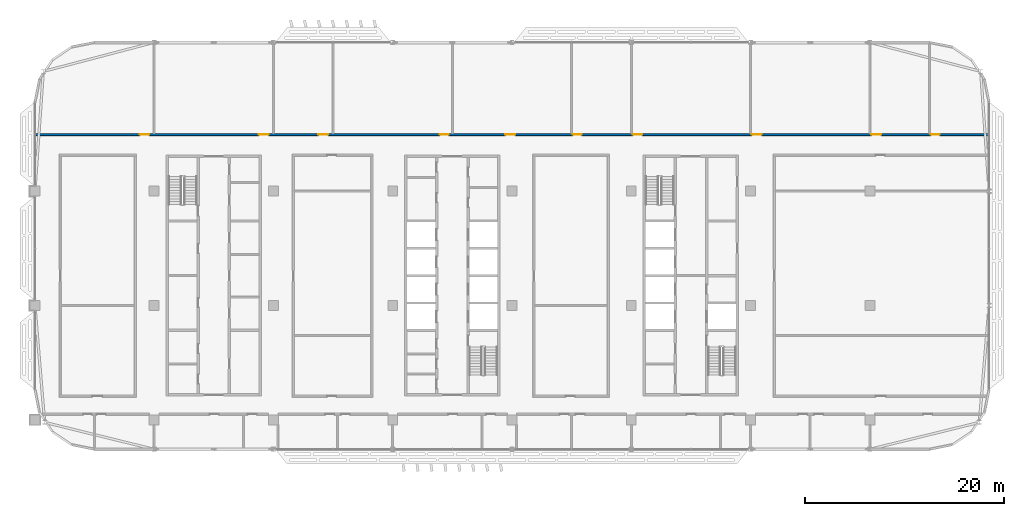
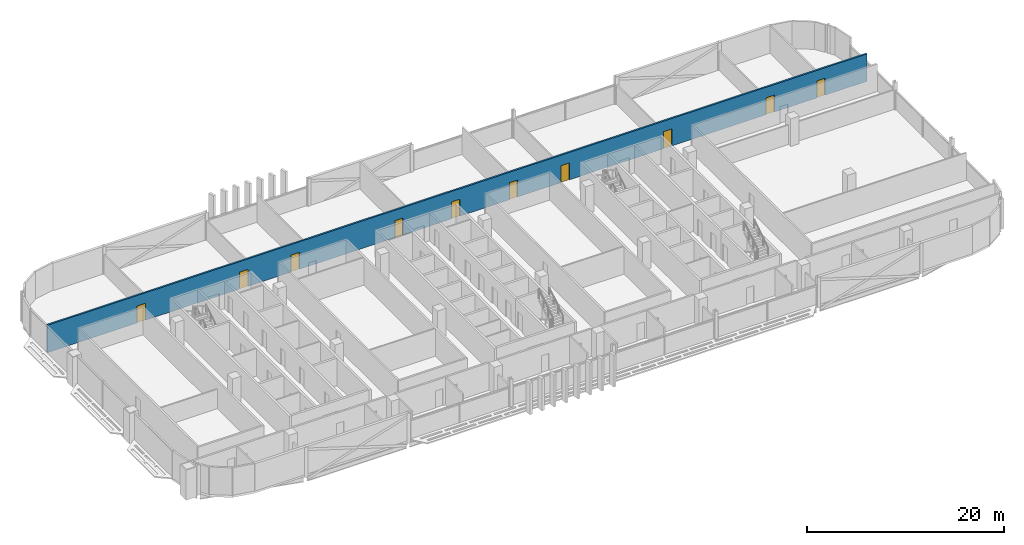
# One storey, part 20 of 33: 10 doors, 1 wall, 10 openings.
"""IFC4 building model written with IfcOpenShell, lengths in metres."""

from ifc_helpers import new_model, si_unit, direction, frame, frame_2d, origin, place, context, subcontext, project, spatial, rectangle, extrude, material, layer, layer_set, type_object, element, fill, save


model = new_model("IFC4")

# Units and contexts
model_context = context("Model", 3, precision=1e-05, world=origin(), true_north=direction((0.0, 1.0)))
body_context = subcontext(model_context, "Body", "Model", "MODEL_VIEW")
ifc_project = project(units=[si_unit("LENGTHUNIT", "METRE"), si_unit("AREAUNIT", "SQUARE_METRE"), si_unit("VOLUMEUNIT", "CUBIC_METRE"), si_unit("PLANEANGLEUNIT", "RADIAN"), si_unit("MASSUNIT", "GRAM", prefix="KILO")], contexts=[model_context])

# Site, building, storey
site_placement = place(None, origin())
site = spatial("IfcSite", under=ifc_project, at=site_placement, CompositionType="ELEMENT")
building_placement = place(site_placement, origin())
building = spatial("IfcBuilding", under=site, at=building_placement, Name="Mahtab Terrace Research Tower", CompositionType="ELEMENT")
storey_placement = place(building_placement, frame((0.0, 0.0, 255.199951171875)))
storey = spatial("IfcBuildingStorey", under=building, at=storey_placement, Name="L62", CompositionType="ELEMENT", Elevation=255.199951171875)

# Wall, openings, doors
ifc_material_1 = material(Name="Gypsum board corridor wall on steel studs", Category="steel")
ifc_layer = layer(ifc_material_1, 0.199951171875)
ifc_layer_set = layer_set([ifc_layer], Name="WALL CORRIDOR 200")
wall_type = type_object("IfcWallType", Name="WALL CORRIDOR 200", PredefinedType="PARTITIONING", material=ifc_layer_set)
wall_placement = place(storey_placement, frame((-41.97509765625, 17.199951171875, 0.0), z_axis=(0.0, 0.0, 1.0), x_axis=(1.0, 0.0, 0.0)))
wall = element("IfcWall", 1, at=wall_placement, inside=storey, type_object=wall_type, Name="L62-W024", PredefinedType="PARTITIONING", context=body_context, shape_type="SweptSolid", body=[
    extrude(rectangle(XDim=95.9501953125, YDim=0.199951171875, at=frame_2d((47.97509765625, 0.0))), origin(), (0.0, 0.0, 1.0), 3.400146484375),
])
opening_1_placement = place(wall_placement, frame((10.5, 0.0, 0.0)))
opening_1 = element("IfcOpeningElement", 2, at=opening_1_placement, cuts=wall, Name="Opening L62-126", PredefinedType="OPENING", context=body_context, shape_type="SweptSolid", body=[
    extrude(rectangle(XDim=1.0, YDim=2.10009765625, at=frame_2d((0.5, 1.050048828125))), frame((0.0, 0.10986328125, 0.0), z_axis=(0.0, -1.0, 0.0), x_axis=(1.0, 0.0, 0.0)), (0.0, 0.0, 1.0), 0.219970703125),
])
opening_2_placement = place(wall_placement, frame((22.5, 0.0, 0.0)))
opening_2 = element("IfcOpeningElement", 3, at=opening_2_placement, cuts=wall, Name="Opening L62-127", PredefinedType="OPENING", context=body_context, shape_type="SweptSolid", body=[
    extrude(rectangle(XDim=1.0, YDim=2.10009765625, at=frame_2d((0.5, 1.050048828125))), frame((0.0, 0.10986328125, 0.0), z_axis=(0.0, -1.0, 0.0), x_axis=(1.0, 0.0, 0.0)), (0.0, 0.0, 1.0), 0.219970703125),
])
opening_3_placement = place(wall_placement, frame((28.5, 0.0, 0.0)))
opening_3 = element("IfcOpeningElement", 4, at=opening_3_placement, cuts=wall, Name="Opening L62-128", PredefinedType="OPENING", context=body_context, shape_type="SweptSolid", body=[
    extrude(rectangle(XDim=1.0, YDim=2.10009765625, at=frame_2d((0.5, 1.050048828125))), frame((0.0, 0.10986328125, 0.0), z_axis=(0.0, -1.0, 0.0), x_axis=(1.0, 0.0, 0.0)), (0.0, 0.0, 1.0), 0.219970703125),
])
opening_4_placement = place(wall_placement, frame((40.699951171875, 0.0, 0.0)))
opening_4 = element("IfcOpeningElement", 5, at=opening_4_placement, cuts=wall, Name="Opening L62-129", PredefinedType="OPENING", context=body_context, shape_type="SweptSolid", body=[
    extrude(rectangle(XDim=0.89990234375, YDim=2.10009765625, at=frame_2d((0.449951171875, 1.050048828125))), frame((0.0, 0.10986328125, 0.0), z_axis=(0.0, -1.0, 0.0), x_axis=(1.0, 0.0, 0.0)), (0.0, 0.0, 1.0), 0.219970703125),
])
opening_5_placement = place(wall_placement, frame((47.300048828125, 0.0, 0.0)))
opening_5 = element("IfcOpeningElement", 6, at=opening_5_placement, cuts=wall, Name="Opening L62-130", PredefinedType="OPENING", context=body_context, shape_type="SweptSolid", body=[
    extrude(rectangle(XDim=1.0, YDim=2.10009765625, at=frame_2d((0.5, 1.050048828125))), frame((0.0, 0.10986328125, 0.0), z_axis=(0.0, -1.0, 0.0), x_axis=(1.0, 0.0, 0.0)), (0.0, 0.0, 1.0), 0.219970703125),
])
opening_6_placement = place(wall_placement, frame((54.10009765625, 0.0, 0.0)))
opening_6 = element("IfcOpeningElement", 7, at=opening_6_placement, cuts=wall, Name="Opening L62-131", PredefinedType="OPENING", context=body_context, shape_type="SweptSolid", body=[
    extrude(rectangle(XDim=0.89990234375, YDim=2.10009765625, at=frame_2d((0.449951171875, 1.050048828125))), frame((0.0, 0.10986328125, 0.0), z_axis=(0.0, -1.0, 0.0), x_axis=(1.0, 0.0, 0.0)), (0.0, 0.0, 1.0), 0.219970703125),
])
opening_7_placement = place(wall_placement, frame((60.10009765625, 0.0, 0.0)))
opening_7 = element("IfcOpeningElement", 8, at=opening_7_placement, cuts=wall, Name="Opening L62-132", PredefinedType="OPENING", context=body_context, shape_type="SweptSolid", body=[
    extrude(rectangle(XDim=1.0, YDim=2.10009765625, at=frame_2d((0.5, 1.050048828125))), frame((0.0, 0.10986328125, 0.0), z_axis=(0.0, -1.0, 0.0), x_axis=(1.0, 0.0, 0.0)), (0.0, 0.0, 1.0), 0.219970703125),
])
opening_8_placement = place(wall_placement, frame((72.10009765625, 0.0, 0.0)))
opening_8 = element("IfcOpeningElement", 9, at=opening_8_placement, cuts=wall, Name="Opening L62-133", PredefinedType="OPENING", context=body_context, shape_type="SweptSolid", body=[
    extrude(rectangle(XDim=1.0, YDim=2.10009765625, at=frame_2d((0.5, 1.050048828125))), frame((0.0, 0.10986328125, 0.0), z_axis=(0.0, -1.0, 0.0), x_axis=(1.0, 0.0, 0.0)), (0.0, 0.0, 1.0), 0.219970703125),
])
opening_9_placement = place(wall_placement, frame((84.10009765625, 0.0, 0.0)))
opening_9 = element("IfcOpeningElement", 10, at=opening_9_placement, cuts=wall, Name="Opening L62-134", PredefinedType="OPENING", context=body_context, shape_type="SweptSolid", body=[
    extrude(rectangle(XDim=1.0, YDim=2.10009765625, at=frame_2d((0.5, 1.050048828125))), frame((0.0, 0.10986328125, 0.0), z_axis=(0.0, -1.0, 0.0), x_axis=(1.0, 0.0, 0.0)), (0.0, 0.0, 1.0), 0.219970703125),
])
opening_10_placement = place(wall_placement, frame((90.10009765625, 0.0, 0.0)))
opening_10 = element("IfcOpeningElement", 11, at=opening_10_placement, cuts=wall, Name="Opening L62-135", PredefinedType="OPENING", context=body_context, shape_type="SweptSolid", body=[
    extrude(rectangle(XDim=0.89990234375, YDim=2.10009765625, at=frame_2d((0.449951171875, 1.050048828125))), frame((0.0, 0.10986328125, 0.0), z_axis=(0.0, -1.0, 0.0), x_axis=(1.0, 0.0, 0.0)), (0.0, 0.0, 1.0), 0.219970703125),
])
ifc_material_2 = material(Name="Timber door leaf in steel frame", Category="steel")
door_type_1 = type_object("IfcDoorType", Name="DOOR 0900X2100 FD30S", OperationType="SINGLE_SWING_LEFT", PredefinedType="DOOR", material=ifc_material_2)
door_1_placement = place(opening_4_placement, origin())
door_1 = element("IfcDoor", 12, at=door_1_placement, inside=storey, type_object=door_type_1, Name="Door L62-129", OperationType="SINGLE_SWING_LEFT", OverallHeight=2.10009765625, OverallWidth=0.89990234375, PredefinedType="DOOR", context=body_context, shape_type="SweptSolid", body=[
    extrude(rectangle(XDim=0.89990234375, YDim=2.10009765625, at=frame_2d((0.449951171875, 1.050048828125))), frame((0.0, 0.02490234375, 0.0), z_axis=(0.0, -1.0, 0.0), x_axis=(1.0, 0.0, 0.0)), (0.0, 0.0, 1.0), 0.050048828125),
])
fill(opening_4, door_1)
door_2_placement = place(opening_6_placement, origin())
door_2 = element("IfcDoor", 13, at=door_2_placement, inside=storey, type_object=door_type_1, Name="Door L62-131", OperationType="SINGLE_SWING_RIGHT", OverallHeight=2.10009765625, OverallWidth=0.89990234375, PredefinedType="DOOR", context=body_context, shape_type="SweptSolid", body=[
    extrude(rectangle(XDim=0.89990234375, YDim=2.10009765625, at=frame_2d((0.449951171875, 1.050048828125))), frame((0.0, 0.02490234375, 0.0), z_axis=(0.0, -1.0, 0.0), x_axis=(1.0, 0.0, 0.0)), (0.0, 0.0, 1.0), 0.050048828125),
])
fill(opening_6, door_2)
door_3_placement = place(opening_10_placement, origin())
door_3 = element("IfcDoor", 14, at=door_3_placement, inside=storey, type_object=door_type_1, Name="Door L62-135", OperationType="SINGLE_SWING_RIGHT", OverallHeight=2.10009765625, OverallWidth=0.89990234375, PredefinedType="DOOR", context=body_context, shape_type="SweptSolid", body=[
    extrude(rectangle(XDim=0.89990234375, YDim=2.10009765625, at=frame_2d((0.449951171875, 1.050048828125))), frame((0.0, 0.02490234375, 0.0), z_axis=(0.0, -1.0, 0.0), x_axis=(1.0, 0.0, 0.0)), (0.0, 0.0, 1.0), 0.050048828125),
])
fill(opening_10, door_3)
door_type_2 = type_object("IfcDoorType", Name="DOOR 1000X2100 FD30S", OperationType="SINGLE_SWING_LEFT", PredefinedType="DOOR", material=ifc_material_2)
door_4_placement = place(opening_1_placement, origin())
door_4 = element("IfcDoor", 15, at=door_4_placement, inside=storey, type_object=door_type_2, Name="Door L62-126", OperationType="SINGLE_SWING_LEFT", OverallHeight=2.10009765625, OverallWidth=1.0, PredefinedType="DOOR", context=body_context, shape_type="SweptSolid", body=[
    extrude(rectangle(XDim=1.0, YDim=2.10009765625, at=frame_2d((0.5, 1.050048828125))), frame((0.0, 0.02490234375, 0.0), z_axis=(0.0, -1.0, 0.0), x_axis=(1.0, 0.0, 0.0)), (0.0, 0.0, 1.0), 0.050048828125),
])
fill(opening_1, door_4)
door_5_placement = place(opening_2_placement, origin())
door_5 = element("IfcDoor", 16, at=door_5_placement, inside=storey, type_object=door_type_2, Name="Door L62-127", OperationType="SINGLE_SWING_LEFT", OverallHeight=2.10009765625, OverallWidth=1.0, PredefinedType="DOOR", context=body_context, shape_type="SweptSolid", body=[
    extrude(rectangle(XDim=1.0, YDim=2.10009765625, at=frame_2d((0.5, 1.050048828125))), frame((0.0, 0.02490234375, 0.0), z_axis=(0.0, -1.0, 0.0), x_axis=(1.0, 0.0, 0.0)), (0.0, 0.0, 1.0), 0.050048828125),
])
fill(opening_2, door_5)
door_6_placement = place(opening_3_placement, origin())
door_6 = element("IfcDoor", 17, at=door_6_placement, inside=storey, type_object=door_type_2, Name="Door L62-128", OperationType="SINGLE_SWING_LEFT", OverallHeight=2.10009765625, OverallWidth=1.0, PredefinedType="DOOR", context=body_context, shape_type="SweptSolid", body=[
    extrude(rectangle(XDim=1.0, YDim=2.10009765625, at=frame_2d((0.5, 1.050048828125))), frame((0.0, 0.02490234375, 0.0), z_axis=(0.0, -1.0, 0.0), x_axis=(1.0, 0.0, 0.0)), (0.0, 0.0, 1.0), 0.050048828125),
])
fill(opening_3, door_6)
door_7_placement = place(opening_5_placement, origin())
door_7 = element("IfcDoor", 18, at=door_7_placement, inside=storey, type_object=door_type_2, Name="Door L62-130", OperationType="SINGLE_SWING_LEFT", OverallHeight=2.10009765625, OverallWidth=1.0, PredefinedType="DOOR", context=body_context, shape_type="SweptSolid", body=[
    extrude(rectangle(XDim=1.0, YDim=2.10009765625, at=frame_2d((0.5, 1.050048828125))), frame((0.0, 0.02490234375, 0.0), z_axis=(0.0, -1.0, 0.0), x_axis=(1.0, 0.0, 0.0)), (0.0, 0.0, 1.0), 0.050048828125),
])
fill(opening_5, door_7)
door_8_placement = place(opening_7_placement, origin())
door_8 = element("IfcDoor", 19, at=door_8_placement, inside=storey, type_object=door_type_2, Name="Door L62-132", OperationType="SINGLE_SWING_RIGHT", OverallHeight=2.10009765625, OverallWidth=1.0, PredefinedType="DOOR", context=body_context, shape_type="SweptSolid", body=[
    extrude(rectangle(XDim=1.0, YDim=2.10009765625, at=frame_2d((0.5, 1.050048828125))), frame((0.0, 0.02490234375, 0.0), z_axis=(0.0, -1.0, 0.0), x_axis=(1.0, 0.0, 0.0)), (0.0, 0.0, 1.0), 0.050048828125),
])
fill(opening_7, door_8)
door_9_placement = place(opening_8_placement, origin())
door_9 = element("IfcDoor", 20, at=door_9_placement, inside=storey, type_object=door_type_2, Name="Door L62-133", OperationType="SINGLE_SWING_RIGHT", OverallHeight=2.10009765625, OverallWidth=1.0, PredefinedType="DOOR", context=body_context, shape_type="SweptSolid", body=[
    extrude(rectangle(XDim=1.0, YDim=2.10009765625, at=frame_2d((0.5, 1.050048828125))), frame((0.0, 0.02490234375, 0.0), z_axis=(0.0, -1.0, 0.0), x_axis=(1.0, 0.0, 0.0)), (0.0, 0.0, 1.0), 0.050048828125),
])
fill(opening_8, door_9)
door_10_placement = place(opening_9_placement, origin())
door_10 = element("IfcDoor", 21, at=door_10_placement, inside=storey, type_object=door_type_2, Name="Door L62-134", OperationType="SINGLE_SWING_RIGHT", OverallHeight=2.10009765625, OverallWidth=1.0, PredefinedType="DOOR", context=body_context, shape_type="SweptSolid", body=[
    extrude(rectangle(XDim=1.0, YDim=2.10009765625, at=frame_2d((0.5, 1.050048828125))), frame((0.0, 0.02490234375, 0.0), z_axis=(0.0, -1.0, 0.0), x_axis=(1.0, 0.0, 0.0)), (0.0, 0.0, 1.0), 0.050048828125),
])
fill(opening_9, door_10)

save(model, "model.ifc")
